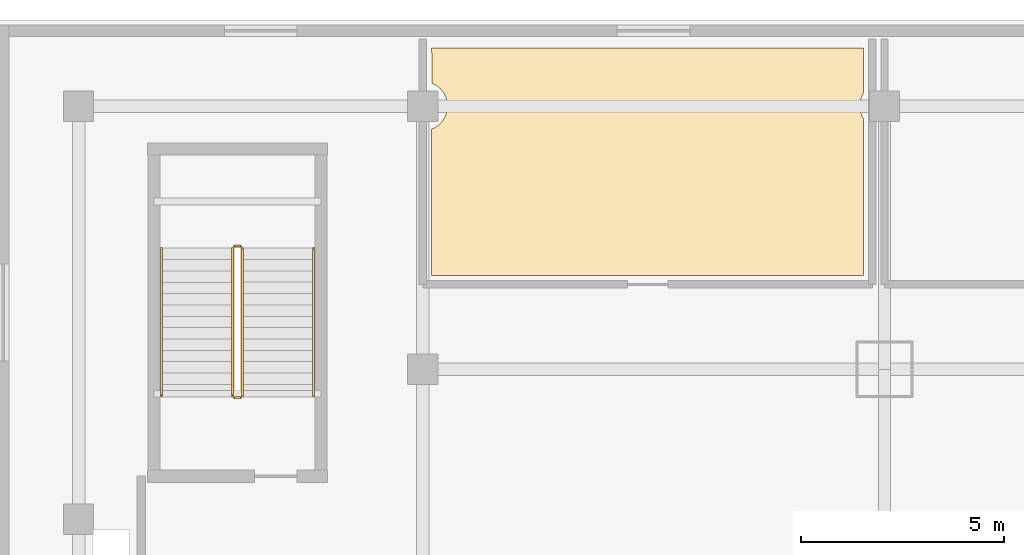
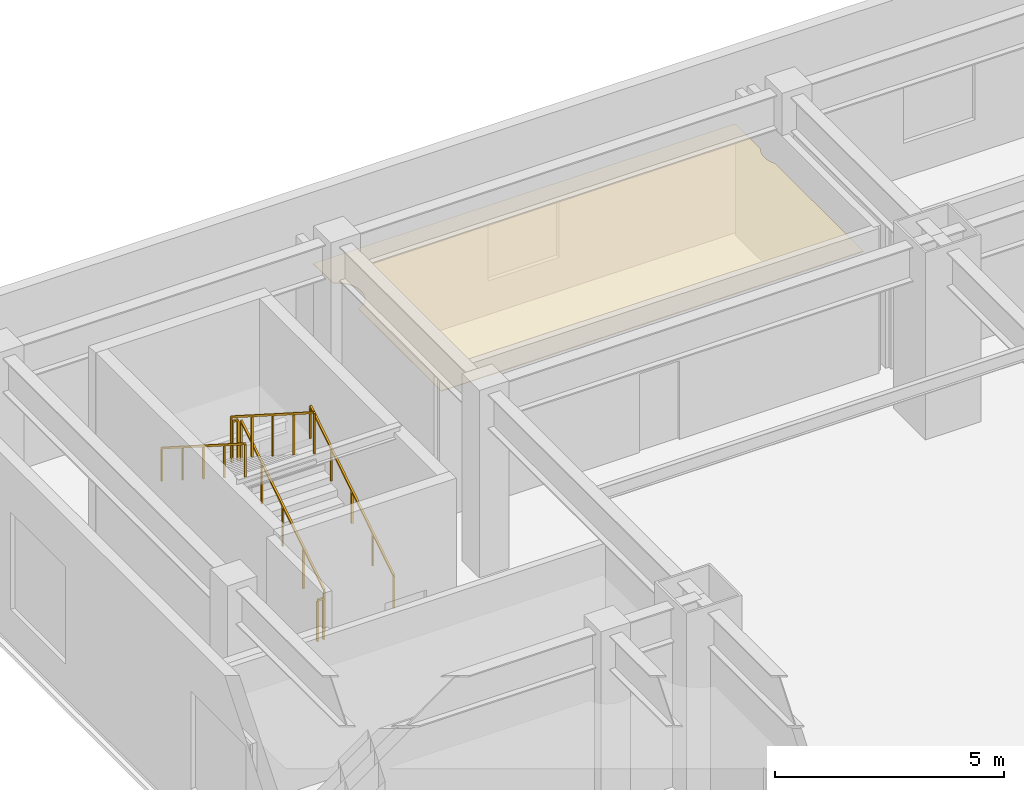
# One storey, part 22 of 24: 6 railings, 1 covering.
"""IFC4 building model written with IfcOpenShell, lengths in metres."""

from ifc_helpers import new_model, si_unit, direction, frame, origin, origin_2d, place, context, subcontext, project, spatial, polyline, rectangle, outline, extrude, material, layer, layer_set, type_object, element, save


model = new_model("IFC4")

# Units and contexts
model_context = context("Model", 3, precision=1e-05, world=origin(), true_north=direction((0.0, 1.0)))
body_context = subcontext(model_context, "Body", "Model", "MODEL_VIEW")
ifc_project = project(units=[si_unit("LENGTHUNIT", "METRE"), si_unit("AREAUNIT", "SQUARE_METRE"), si_unit("VOLUMEUNIT", "CUBIC_METRE"), si_unit("PLANEANGLEUNIT", "RADIAN"), si_unit("MASSUNIT", "GRAM", prefix="KILO")], contexts=[model_context])

# Site, building, storey
site_placement = place(None, origin())
site = spatial("IfcSite", under=ifc_project, at=site_placement, CompositionType="ELEMENT")
building_placement = place(site_placement, origin())
building = spatial("IfcBuilding", under=site, at=building_placement, Name="Vantalir Tower", CompositionType="ELEMENT")
storey_placement = place(building_placement, frame((0.0, 0.0, 11.0)))
storey = spatial("IfcBuildingStorey", under=building, at=storey_placement, Name="L02", CompositionType="ELEMENT", Elevation=11.0)

# Covering
ifc_material_1 = material(Name="Perforated acoustic gypsum ceiling board", Category="gypsum")
ifc_layer = layer(ifc_material_1, 0.02001953125)
ifc_layer_set = layer_set([ifc_layer], Name="Perforated acoustic gypsum ceiling board")
covering_type = type_object("IfcCoveringType", Name="COV-ACOUSTIC-CEIL-20", PredefinedType="CEILING", material=ifc_layer_set)
covering_placement = place(storey_placement, frame((0.0, 0.0, 3.1298828125)))
element("IfcCovering", 1, at=covering_placement, inside=storey, type_object=covering_type, Name="Level 02 Conference Administration Office Suspended Ceiling", PredefinedType="CEILING", context=body_context, shape_type="SweptSolid", body=[
    extrude(outline(polyline([(21.3798828125, 49.429931640625), (10.719970703125, 49.429931640625), (10.73291015625, 48.56201171875), (10.787109375, 48.535888671875), (10.837890625, 48.506103515625), (10.885986328125, 48.469970703125), (10.929931640625, 48.429931640625), (10.969970703125, 48.385986328125), (11.006103515625, 48.337890625), (11.035888671875, 48.287109375), (11.06201171875, 48.23291015625), (11.08203125, 48.176025390625), (11.095947265625, 48.118896484375), (11.10498046875, 48.06005859375), (11.10791015625, 48.0), (11.10498046875, 47.93994140625), (11.095947265625, 47.881103515625), (11.08203125, 47.823974609375), (11.06201171875, 47.76708984375), (11.035888671875, 47.712890625), (11.006103515625, 47.662109375), (10.969970703125, 47.614013671875), (10.929931640625, 47.570068359375), (10.885986328125, 47.530029296875), (10.837890625, 47.493896484375), (10.787109375, 47.464111328125), (10.719970703125, 47.43408203125), (10.719970703125, 43.820068359375), (21.3798828125, 43.820068359375), (21.3798828125, 47.68603515625), (21.364013671875, 47.712890625), (21.337890625, 47.76708984375), (21.318115234375, 47.823974609375), (21.303955078125, 47.881103515625), (21.294921875, 47.93994140625), (21.2919921875, 48.0), (21.294921875, 48.06005859375), (21.303955078125, 48.118896484375), (21.318115234375, 48.176025390625), (21.337890625, 48.23291015625), (21.364013671875, 48.287109375), (21.3798828125, 48.31396484375), (21.3798828125, 49.429931640625)])), origin(), (0.0, 0.0, 1.0), 0.02001953125),
])

# Railings
ifc_material_2 = material(Name="Anodised aluminium and stainless steel guard", Category="steel")
railing_type_1 = type_object("IfcRailingType", Name="RAL-GUARD-1120", PredefinedType="GUARDRAIL", material=ifc_material_2)
railing_1_placement = place(storey_placement, frame((6.050048828125, 40.85009765625, 0.178466796875)))
element("IfcRailing", 2, at=railing_1_placement, inside=storey, type_object=railing_type_1, Name="Level 02 PST1 stair guard 1", PredefinedType="GUARDRAIL", context=body_context, shape_type="SweptSolid", body=[
    extrude(rectangle(XDim=0.048095703125, YDim=0.048095703125, at=origin_2d()), frame((0.0, 0.0, 1.09619140625), z_axis=(0.0, 0.843111507901, 0.53773877045), x_axis=(-1.0, 0.0, 0.0)), (0.0, 0.0, 1.0), 4.317138671875),
    extrude(rectangle(XDim=0.0419921875, YDim=0.0419921875, at=origin_2d()), origin(), (0.0, 0.0, 1.0), 1.072021484375),
    extrude(rectangle(XDim=0.0419921875, YDim=0.0419921875, at=origin_2d()), frame((0.0, 0.909912109375, 0.580322265625)), (0.0, 0.0, 1.0), 1.072021484375),
    extrude(rectangle(XDim=0.0419921875, YDim=0.0419921875, at=origin_2d()), frame((0.0, 1.81982421875, 1.16064453125)), (0.0, 0.0, 1.0), 1.072021484375),
    extrude(rectangle(XDim=0.0419921875, YDim=0.0419921875, at=origin_2d()), frame((0.0, 2.72998046875, 1.7412109375)), (0.0, 0.0, 1.0), 1.072021484375),
    extrude(rectangle(XDim=0.0419921875, YDim=0.0419921875, at=origin_2d()), frame((0.0, 3.639892578125, 2.321533203125)), (0.0, 0.0, 1.0), 1.072021484375),
])
railing_2_placement = place(storey_placement, frame((6.0, 44.5400390625, 2.5)))
element("IfcRailing", 3, at=railing_2_placement, inside=storey, type_object=railing_type_1, Name="Level 02 PST1 stair guard 2", PredefinedType="GUARDRAIL", context=body_context, shape_type="SweptSolid", body=[
    extrude(rectangle(XDim=0.048095703125, YDim=0.048095703125, at=origin_2d()), frame((0.0, 0.0, 1.09619140625), z_axis=(-1.0, 0.0, 0.0), x_axis=(0.0, -1.0, 0.0)), (0.0, 0.0, 1.0), 0.14990234375),
    extrude(rectangle(XDim=0.0419921875, YDim=0.0419921875, at=origin_2d()), origin(), (0.0, 0.0, 1.0), 1.072021484375),
    extrude(rectangle(XDim=0.0419921875, YDim=0.0419921875, at=origin_2d()), frame((-0.14990234375, 0.0, 0.0)), (0.0, 0.0, 1.0), 1.072021484375),
])
railing_3_placement = place(storey_placement, frame((5.800048828125, 44.489990234375, 2.678466796875)))
element("IfcRailing", 4, at=railing_3_placement, inside=storey, type_object=railing_type_1, Name="Level 02 PST1 stair guard 3", PredefinedType="GUARDRAIL", context=body_context, shape_type="SweptSolid", body=[
    extrude(rectangle(XDim=0.048095703125, YDim=0.048095703125, at=origin_2d()), frame((0.0, 0.0, 1.09619140625), z_axis=(0.0, -0.843111507901, 0.53773877045), x_axis=(1.0, 0.0, 0.0)), (0.0, 0.0, 1.0), 4.317138671875),
    extrude(rectangle(XDim=0.0419921875, YDim=0.0419921875, at=origin_2d()), origin(), (0.0, 0.0, 1.0), 1.072021484375),
    extrude(rectangle(XDim=0.0419921875, YDim=0.0419921875, at=origin_2d()), frame((0.0, -0.909912109375, 0.580322265625)), (0.0, 0.0, 1.0), 1.072021484375),
    extrude(rectangle(XDim=0.0419921875, YDim=0.0419921875, at=origin_2d()), frame((0.0, -1.81982421875, 1.16064453125)), (0.0, 0.0, 1.0), 1.072021484375),
    extrude(rectangle(XDim=0.0419921875, YDim=0.0419921875, at=origin_2d()), frame((0.0, -2.72998046875, 1.7412109375)), (0.0, 0.0, 1.0), 1.072021484375),
    extrude(rectangle(XDim=0.0419921875, YDim=0.0419921875, at=origin_2d()), frame((0.0, -3.639892578125, 2.321533203125)), (0.0, 0.0, 1.0), 1.072021484375),
])
railing_4_placement = place(storey_placement, frame((6.0, 40.800048828125, 0.0)))
element("IfcRailing", 5, at=railing_4_placement, inside=storey, type_object=railing_type_1, Name="Level 02 PST1 stair guard 4", PredefinedType="GUARDRAIL", context=body_context, shape_type="SweptSolid", body=[
    extrude(rectangle(XDim=0.048095703125, YDim=0.048095703125, at=origin_2d()), frame((0.0, 0.0, 1.09619140625), z_axis=(-1.0, 0.0, 0.0), x_axis=(0.0, -1.0, 0.0)), (0.0, 0.0, 1.0), 0.14990234375),
    extrude(rectangle(XDim=0.0419921875, YDim=0.0419921875, at=origin_2d()), origin(), (0.0, 0.0, 1.0), 1.072021484375),
    extrude(rectangle(XDim=0.0419921875, YDim=0.0419921875, at=origin_2d()), frame((-0.14990234375, 0.0, 0.0)), (0.0, 0.0, 1.0), 1.072021484375),
])
ifc_material_3 = material(Name="Brushed stainless steel tubular handrail", Category="steel")
railing_type_2 = type_object("IfcRailingType", Name="RAL-HANDRAIL-900", PredefinedType="HANDRAIL", material=ifc_material_3)
railing_5_placement = place(storey_placement, frame((7.800048828125, 40.85009765625, 0.178466796875)))
element("IfcRailing", 6, at=railing_5_placement, inside=storey, type_object=railing_type_2, Name="Level 02 PST1 stair handrail 1", PredefinedType="HANDRAIL", context=body_context, shape_type="SweptSolid", body=[
    extrude(rectangle(XDim=0.048095703125, YDim=0.048095703125, at=origin_2d()), frame((0.0, 0.0, 0.8759765625), z_axis=(0.0, 0.843111507901, 0.53773877045), x_axis=(-1.0, 0.0, 0.0)), (0.0, 0.0, 1.0), 4.317138671875),
    extrude(rectangle(XDim=0.0419921875, YDim=0.0419921875, at=origin_2d()), origin(), (0.0, 0.0, 1.0), 0.851806640625),
    extrude(rectangle(XDim=0.0419921875, YDim=0.0419921875, at=origin_2d()), frame((0.0, 0.909912109375, 0.580322265625)), (0.0, 0.0, 1.0), 0.851806640625),
    extrude(rectangle(XDim=0.0419921875, YDim=0.0419921875, at=origin_2d()), frame((0.0, 1.81982421875, 1.16064453125)), (0.0, 0.0, 1.0), 0.851806640625),
    extrude(rectangle(XDim=0.0419921875, YDim=0.0419921875, at=origin_2d()), frame((0.0, 2.72998046875, 1.7412109375)), (0.0, 0.0, 1.0), 0.851806640625),
    extrude(rectangle(XDim=0.0419921875, YDim=0.0419921875, at=origin_2d()), frame((0.0, 3.639892578125, 2.321533203125)), (0.0, 0.0, 1.0), 0.851806640625),
])
railing_6_placement = place(storey_placement, frame((4.050048828125, 44.489990234375, 2.678466796875)))
element("IfcRailing", 7, at=railing_6_placement, inside=storey, type_object=railing_type_2, Name="Level 02 PST1 stair handrail 2", PredefinedType="HANDRAIL", context=body_context, shape_type="SweptSolid", body=[
    extrude(rectangle(XDim=0.048095703125, YDim=0.048095703125, at=origin_2d()), frame((0.0, 0.0, 0.8759765625), z_axis=(0.0, -0.843111507901, 0.53773877045), x_axis=(1.0, 0.0, 0.0)), (0.0, 0.0, 1.0), 4.317138671875),
    extrude(rectangle(XDim=0.0419921875, YDim=0.0419921875, at=origin_2d()), origin(), (0.0, 0.0, 1.0), 0.851806640625),
    extrude(rectangle(XDim=0.0419921875, YDim=0.0419921875, at=origin_2d()), frame((0.0, -0.909912109375, 0.580322265625)), (0.0, 0.0, 1.0), 0.851806640625),
    extrude(rectangle(XDim=0.0419921875, YDim=0.0419921875, at=origin_2d()), frame((0.0, -1.81982421875, 1.16064453125)), (0.0, 0.0, 1.0), 0.851806640625),
    extrude(rectangle(XDim=0.0419921875, YDim=0.0419921875, at=origin_2d()), frame((0.0, -2.72998046875, 1.7412109375)), (0.0, 0.0, 1.0), 0.851806640625),
    extrude(rectangle(XDim=0.0419921875, YDim=0.0419921875, at=origin_2d()), frame((0.0, -3.639892578125, 2.321533203125)), (0.0, 0.0, 1.0), 0.851806640625),
])

save(model, "model.ifc")
